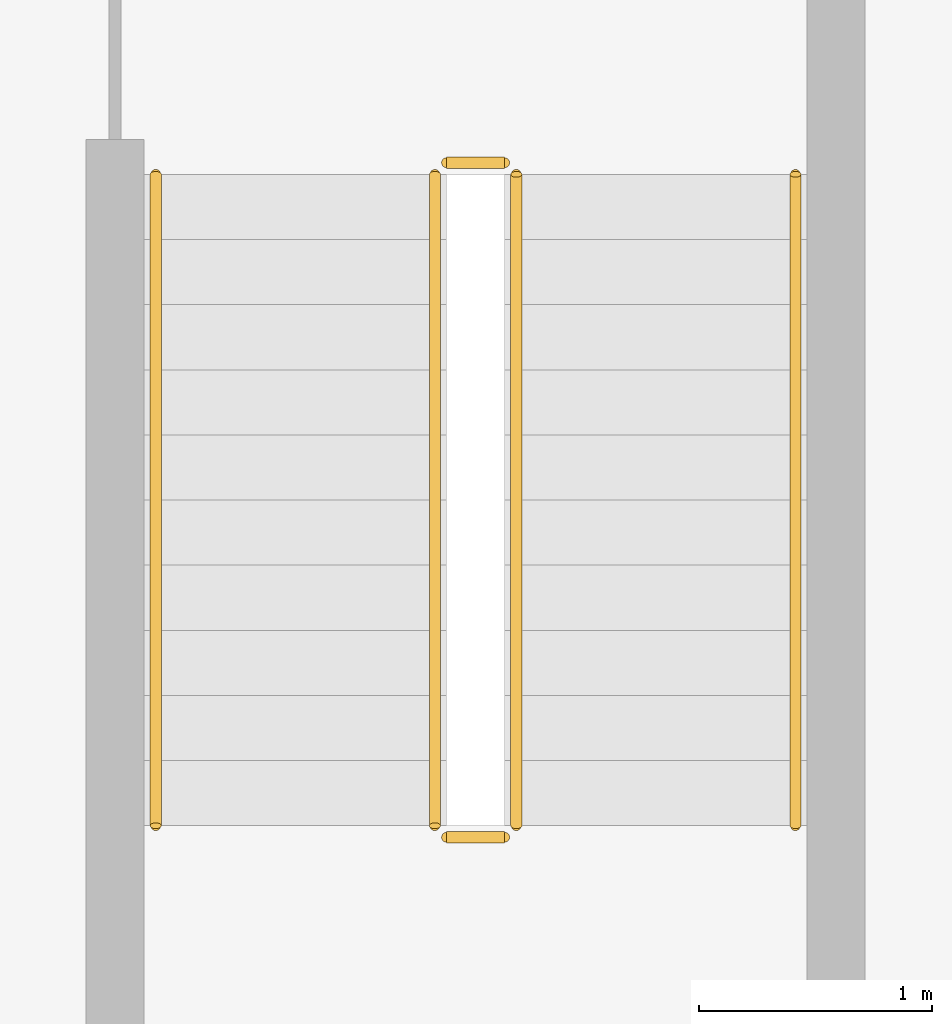
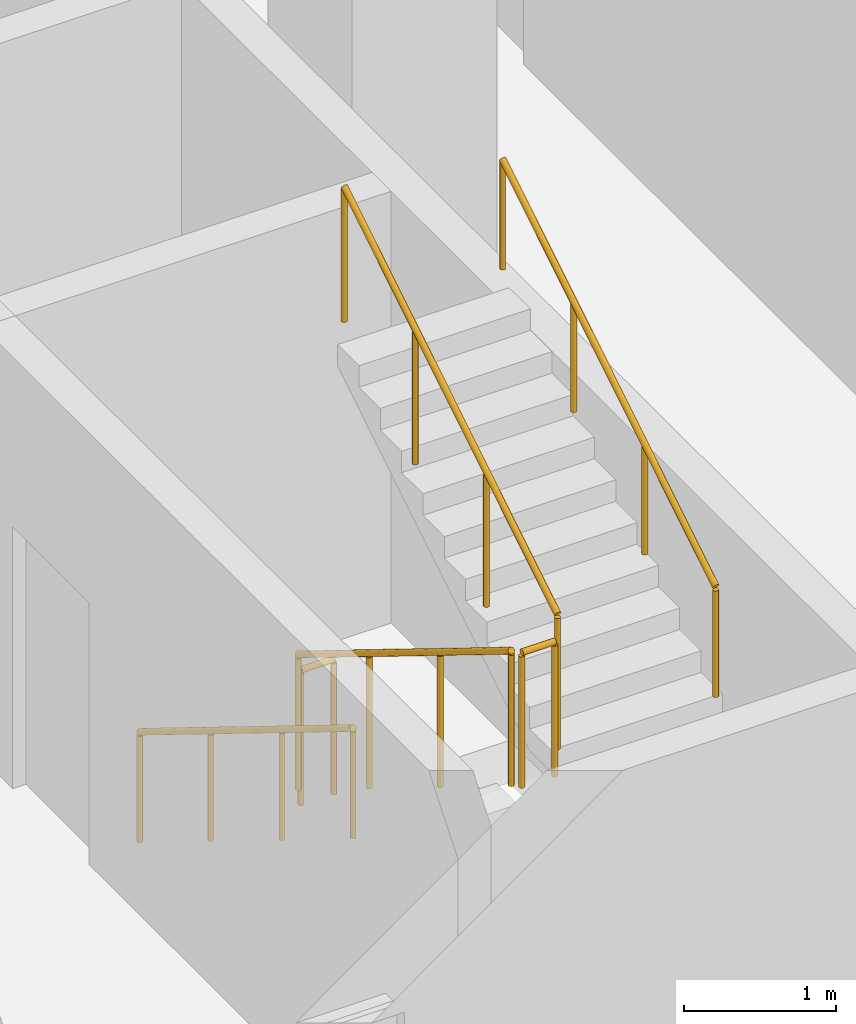
# One storey, part 26 of 30: 6 railings.
"""IFC4 building model written with IfcOpenShell, lengths in metres."""

from ifc_helpers import new_model, si_unit, direction, frame, origin, origin_2d, place, context, subcontext, project, spatial, circle, extrude, material, type_object, element, save


model = new_model("IFC4")

# Units and contexts
model_context = context("Model", 3, precision=1e-05, world=origin(), true_north=direction((0.0, 1.0)))
body_context = subcontext(model_context, "Body", "Model", "MODEL_VIEW")
ifc_project = project(units=[si_unit("LENGTHUNIT", "METRE"), si_unit("AREAUNIT", "SQUARE_METRE"), si_unit("VOLUMEUNIT", "CUBIC_METRE"), si_unit("PLANEANGLEUNIT", "RADIAN"), si_unit("MASSUNIT", "GRAM", prefix="KILO")], contexts=[model_context])

# Site, building, storey
site_placement = place(None, origin())
site = spatial("IfcSite", under=ifc_project, at=site_placement, CompositionType="ELEMENT")
building_placement = place(site_placement, origin())
building = spatial("IfcBuilding", under=site, at=building_placement, Name="Mahtab Terrace Research Tower", CompositionType="ELEMENT")
storey_placement = place(building_placement, frame((0.0, 0.0, 216.699951171875)))
storey = spatial("IfcBuildingStorey", under=building, at=storey_placement, Name="L52", CompositionType="ELEMENT", Elevation=216.699951171875)

# Railings
ifc_material = material(Name="Stainless steel AISI 304", Category="steel")
railing_type_1 = type_object("IfcRailingType", Name="Stair guard 1100", PredefinedType="GUARDRAIL", material=ifc_material)
railing_1_placement = place(storey_placement, frame((2.949951171875, -4.175048828125, 0.1728515625)))
element("IfcRailing", 1, at=railing_1_placement, inside=storey, type_object=railing_type_1, Name="L52 ST2 stair guard 1", PredefinedType="GUARDRAIL", context=body_context, shape_type="SweptSolid", body=[
    extrude(circle(Radius=0.02392578125, at=origin_2d()), frame((0.0, 0.0, 1.076171875), z_axis=(0.0, -0.851089632645, 0.525020415988), x_axis=(1.0, 0.0, 0.0)), (0.0, 0.0, 1.0), 3.2900390625),
    extrude(circle(Radius=0.02099609375, at=origin_2d()), origin(), (0.0, 0.0, 1.0), 1.052001953125),
    extrude(circle(Radius=0.02099609375, at=origin_2d()), frame((0.0, -0.933349609375, 0.57568359375)), (0.0, 0.0, 1.0), 1.052001953125),
    extrude(circle(Radius=0.02099609375, at=origin_2d()), frame((0.0, -1.86669921875, 1.151611328125)), (0.0, 0.0, 1.0), 1.052001953125),
    extrude(circle(Radius=0.02099609375, at=origin_2d()), frame((0.0, -2.800048828125, 1.727294921875)), (0.0, 0.0, 1.0), 1.052001953125),
])
railing_2_placement = place(storey_placement, frame((3.0, -7.02490234375, 1.900146484375)))
element("IfcRailing", 2, at=railing_2_placement, inside=storey, type_object=railing_type_1, Name="L52 ST2 stair guard 2", PredefinedType="GUARDRAIL", context=body_context, shape_type="SweptSolid", body=[
    extrude(circle(Radius=0.02392578125, at=origin_2d()), frame((0.0, 0.0, 1.076171875), z_axis=(1.0, 0.0, 0.0), x_axis=(0.0, 1.0, 0.0)), (0.0, 0.0, 1.0), 0.25),
    extrude(circle(Radius=0.02099609375, at=origin_2d()), origin(), (0.0, 0.0, 1.0), 1.052001953125),
    extrude(circle(Radius=0.02099609375, at=origin_2d()), frame((0.25, 0.0, 0.0)), (0.0, 0.0, 1.0), 1.052001953125),
])
railing_3_placement = place(storey_placement, frame((3.300048828125, -6.97509765625, 2.07275390625)))
element("IfcRailing", 3, at=railing_3_placement, inside=storey, type_object=railing_type_1, Name="L52 ST2 stair guard 3", PredefinedType="GUARDRAIL", context=body_context, shape_type="SweptSolid", body=[
    extrude(circle(Radius=0.02392578125, at=origin_2d()), frame((0.0, 0.0, 1.076171875), z_axis=(0.0, 0.851089632645, 0.525020415988), x_axis=(-1.0, 0.0, 0.0)), (0.0, 0.0, 1.0), 3.2900390625),
    extrude(circle(Radius=0.02099609375, at=origin_2d()), origin(), (0.0, 0.0, 1.0), 1.052001953125),
    extrude(circle(Radius=0.02099609375, at=origin_2d()), frame((0.0, 0.933349609375, 0.57568359375)), (0.0, 0.0, 1.0), 1.052001953125),
    extrude(circle(Radius=0.02099609375, at=origin_2d()), frame((0.0, 1.86669921875, 1.151611328125)), (0.0, 0.0, 1.0), 1.052001953125),
    extrude(circle(Radius=0.02099609375, at=origin_2d()), frame((0.0, 2.800048828125, 1.727294921875)), (0.0, 0.0, 1.0), 1.052001953125),
])
railing_4_placement = place(storey_placement, frame((3.0, -4.125, 0.0)))
element("IfcRailing", 4, at=railing_4_placement, inside=storey, type_object=railing_type_1, Name="L52 ST2 stair guard 4", PredefinedType="GUARDRAIL", context=body_context, shape_type="SweptSolid", body=[
    extrude(circle(Radius=0.02392578125, at=origin_2d()), frame((0.0, 0.0, 1.076171875), z_axis=(1.0, 0.0, 0.0), x_axis=(0.0, 1.0, 0.0)), (0.0, 0.0, 1.0), 0.25),
    extrude(circle(Radius=0.02099609375, at=origin_2d()), origin(), (0.0, 0.0, 1.0), 1.052001953125),
    extrude(circle(Radius=0.02099609375, at=origin_2d()), frame((0.25, 0.0, 0.0)), (0.0, 0.0, 1.0), 1.052001953125),
])
railing_type_2 = type_object("IfcRailingType", Name="Stair handrail 900", PredefinedType="HANDRAIL", material=ifc_material)
railing_5_placement = place(storey_placement, frame((1.75, -4.175048828125, 0.1728515625)))
element("IfcRailing", 5, at=railing_5_placement, inside=storey, type_object=railing_type_2, Name="L52 ST2 stair handrail 1", PredefinedType="HANDRAIL", context=body_context, shape_type="SweptSolid", body=[
    extrude(circle(Radius=0.02392578125, at=origin_2d()), frame((0.0, 0.0, 0.8759765625), z_axis=(0.0, -0.851089632645, 0.525020415988), x_axis=(1.0, 0.0, 0.0)), (0.0, 0.0, 1.0), 3.2900390625),
    extrude(circle(Radius=0.02099609375, at=origin_2d()), origin(), (0.0, 0.0, 1.0), 0.851806640625),
    extrude(circle(Radius=0.02099609375, at=origin_2d()), frame((0.0, -0.933349609375, 0.57568359375)), (0.0, 0.0, 1.0), 0.851806640625),
    extrude(circle(Radius=0.02099609375, at=origin_2d()), frame((0.0, -1.86669921875, 1.151611328125)), (0.0, 0.0, 1.0), 0.851806640625),
    extrude(circle(Radius=0.02099609375, at=origin_2d()), frame((0.0, -2.800048828125, 1.727294921875)), (0.0, 0.0, 1.0), 0.851806640625),
])
railing_6_placement = place(storey_placement, frame((4.5, -6.97509765625, 2.07275390625)))
element("IfcRailing", 6, at=railing_6_placement, inside=storey, type_object=railing_type_2, Name="L52 ST2 stair handrail 2", PredefinedType="HANDRAIL", context=body_context, shape_type="SweptSolid", body=[
    extrude(circle(Radius=0.02392578125, at=origin_2d()), frame((0.0, 0.0, 0.8759765625), z_axis=(0.0, 0.851089632645, 0.525020415988), x_axis=(-1.0, 0.0, 0.0)), (0.0, 0.0, 1.0), 3.2900390625),
    extrude(circle(Radius=0.02099609375, at=origin_2d()), origin(), (0.0, 0.0, 1.0), 0.851806640625),
    extrude(circle(Radius=0.02099609375, at=origin_2d()), frame((0.0, 0.933349609375, 0.57568359375)), (0.0, 0.0, 1.0), 0.851806640625),
    extrude(circle(Radius=0.02099609375, at=origin_2d()), frame((0.0, 1.86669921875, 1.151611328125)), (0.0, 0.0, 1.0), 0.851806640625),
    extrude(circle(Radius=0.02099609375, at=origin_2d()), frame((0.0, 2.800048828125, 1.727294921875)), (0.0, 0.0, 1.0), 0.851806640625),
])

save(model, "model.ifc")
